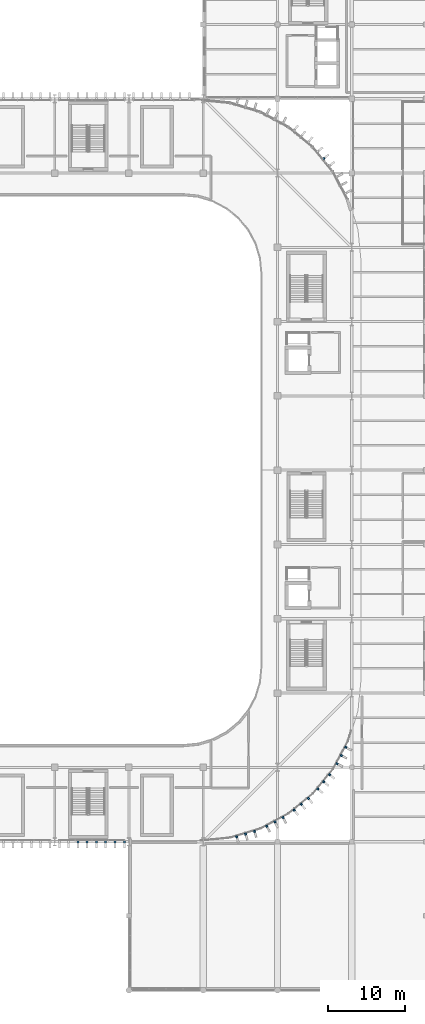
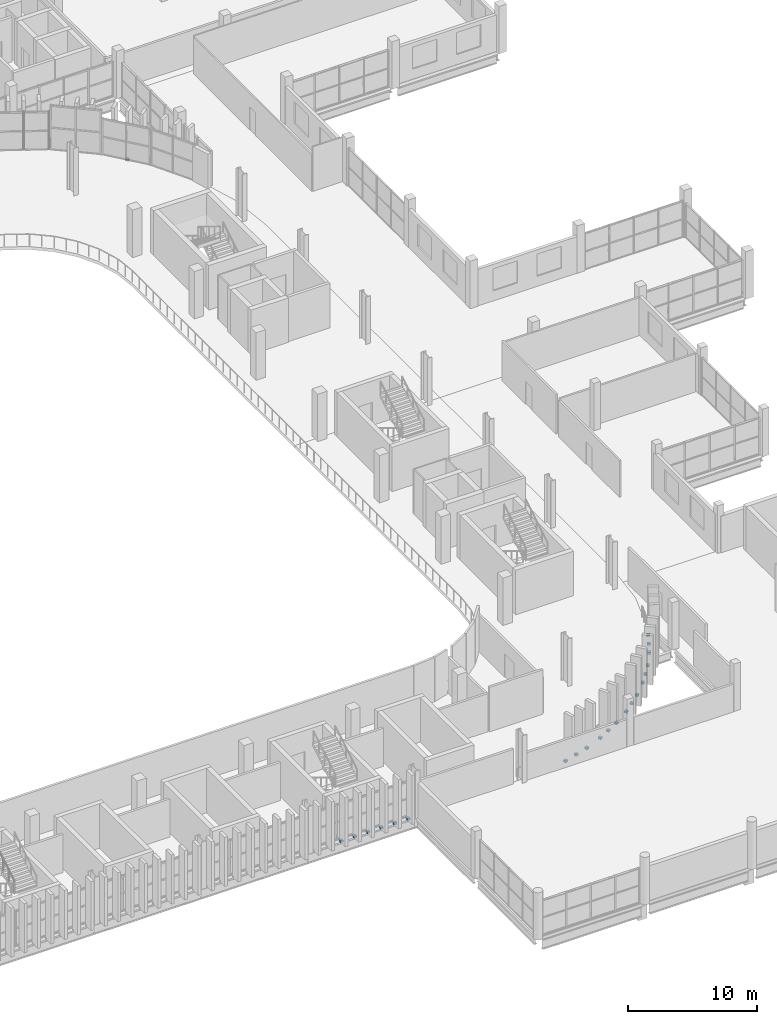
# One storey, part 71 of 92: 22 discrete accessories.
"""IFC4 building model written with IfcOpenShell, lengths in metres."""

from ifc_helpers import new_model, si_unit, direction, frame, origin, origin_2d, place, context, subcontext, project, spatial, rectangle, extrude, material, type_object, element, save


model = new_model("IFC4")

# Units and contexts
model_context = context("Model", 3, precision=1e-05, world=origin(), true_north=direction((0.0, 1.0)))
body_context = subcontext(model_context, "Body", "Model", "MODEL_VIEW")
ifc_project = project(units=[si_unit("LENGTHUNIT", "METRE"), si_unit("AREAUNIT", "SQUARE_METRE"), si_unit("VOLUMEUNIT", "CUBIC_METRE"), si_unit("PLANEANGLEUNIT", "RADIAN"), si_unit("MASSUNIT", "GRAM", prefix="KILO")], contexts=[model_context])

# Site, building, storey
site_placement = place(None, origin())
site = spatial("IfcSite", under=ifc_project, at=site_placement, CompositionType="ELEMENT")
building_placement = place(site_placement, origin())
building = spatial("IfcBuilding", under=site, at=building_placement, Name="Caelomonte Colonnade Arena", CompositionType="ELEMENT")
storey_placement = place(building_placement, frame((0.0, 0.0, 9.60009765625)))
storey = spatial("IfcBuildingStorey", under=building, at=storey_placement, Name="L02", CompositionType="ELEMENT", Elevation=9.60009765625)

# Discrete accessories
ifc_material = material(Name="Steel ASTM A572 Grade 50", Category="steel")
discrete_accessory_type = type_object("IfcDiscreteAccessoryType", Name="ENV-ACC-BRK", PredefinedType="BRACKET", material=ifc_material)
for number, where, z_axis, x_axis, name in (
    (1, (148.326904296875, 19.823974609375, -0.2099609375), (0.0, 0.0, 1.0), (0.956942868907, 0.290276326364, 0.0), "V1 L02 fin support bracket 4"),
    (2, (149.475341796875, 20.17236328125, -0.2099609375), (0.0, 0.0, 1.0), (0.956942868907, 0.290276326364, 0.0), "V1 L02 fin support bracket 5"),
    (3, (150.623779296875, 20.5205078125, -0.2099609375), (0.0, 0.0, 1.0), (0.956942868907, 0.290276326364, 0.0), "V1 L02 fin support bracket 6"),
    (4, (152.20751953125, 21.1767578125, -0.2099609375), (0.0, 0.0, 1.0), (0.881921264348, 0.471396736826, 0.0), "V1 L02 fin support bracket 7"),
    (5, (153.265869140625, 21.7421875, -0.2099609375), (0.0, 0.0, 1.0), (0.881921264348, 0.471396736826, 0.0), "V1 L02 fin support bracket 8"),
    (6, (154.32421875, 22.30810546875, -0.2099609375), (0.0, 0.0, 1.0), (0.881921264348, 0.471396736826, 0.0), "V1 L02 fin support bracket 9"),
    (7, (155.74951171875, 23.260498046875, -0.2099609375), (0.0, 0.0, 1.0), (0.77299384472, 0.634413521313, 0.0), "V1 L02 fin support bracket 10"),
    (8, (156.677001953125, 24.021728515625, -0.2099609375), (0.0, 0.0, 1.0), (0.77299384472, 0.634413521313, 0.0), "V1 L02 fin support bracket 11"),
    (9, (157.604736328125, 24.783203125, -0.2099609375), (0.0, 0.0, 1.0), (0.77299384472, 0.634413521313, 0.0), "V1 L02 fin support bracket 12"),
    (10, (158.81689453125, 25.995361328125, -0.2099609375), (0.0, 0.0, 1.0), (0.634413521313, 0.77299384472, 0.0), "V1 L02 fin support bracket 13"),
    (11, (159.578125, 26.9228515625, -0.2099609375), (0.0, 0.0, 1.0), (0.634413521313, 0.77299384472, 0.0), "V1 L02 fin support bracket 14"),
    (12, (160.339599609375, 27.8505859375, -0.2099609375), (0.0, 0.0, 1.0), (0.634413521313, 0.77299384472, 0.0), "V1 L02 fin support bracket 15"),
    (13, (161.2919921875, 29.27587890625, -0.2099609375), (0.0, 0.0, 1.0), (0.471396736826, 0.881921264348, 0.0), "V1 L02 fin support bracket 16"),
    (14, (161.857666015625, 30.334228515625, -0.2099609375), (0.0, 0.0, 1.0), (0.471396736826, 0.881921264348, 0.0), "V1 L02 fin support bracket 17"),
    (15, (162.42333984375, 31.392578125, -0.2099609375), (0.0, 0.0, 1.0), (0.471396736826, 0.881921264348, 0.0), "V1 L02 fin support bracket 18"),
    (16, (159.578125, 107.47705078125, -0.2099609375), (0.0, 0.0, 1.0), (-0.634413521313, 0.77299384472, 0.0), "V1 L02 fin support bracket 79"),
    (17, (127.800048828125, 19.169921875, -0.2099609375), (0.0, 0.0, 1.0), (1.0, 0.0, 0.0), "V1 L02 fin support bracket 280"),
    (18, (129.0, 19.169921875, -0.2099609375), (0.0, 0.0, 1.0), (1.0, 0.0, 0.0), "V1 L02 fin support bracket 281"),
    (19, (130.199951171875, 19.169921875, -0.2099609375), (0.0, 0.0, 1.0), (1.0, 0.0, 0.0), "V1 L02 fin support bracket 282"),
    (20, (131.39990234375, 19.169921875, -0.2099609375), (0.0, 0.0, 1.0), (1.0, 0.0, 0.0), "V1 L02 fin support bracket 283"),
    (21, (132.60009765625, 19.169921875, -0.2099609375), (0.0, 0.0, 1.0), (1.0, 0.0, 0.0), "V1 L02 fin support bracket 284"),
    (22, (133.800048828125, 19.169921875, -0.2099609375), (0.0, 0.0, 1.0), (1.0, 0.0, 0.0), "V1 L02 fin support bracket 285"),
):
    element("IfcDiscreteAccessory", number, at=place(storey_placement, frame(where, z_axis=z_axis, x_axis=x_axis)), inside=storey, type_object=discrete_accessory_type, Name=name, PredefinedType="BRACKET", context=body_context, shape_type="SweptSolid", body=[
        extrude(rectangle(XDim=0.260009765625, YDim=0.260009765625, at=origin_2d()), origin(), (0.0, 0.0, 1.0), 0.179931640625),
    ])

save(model, "model.ifc")
